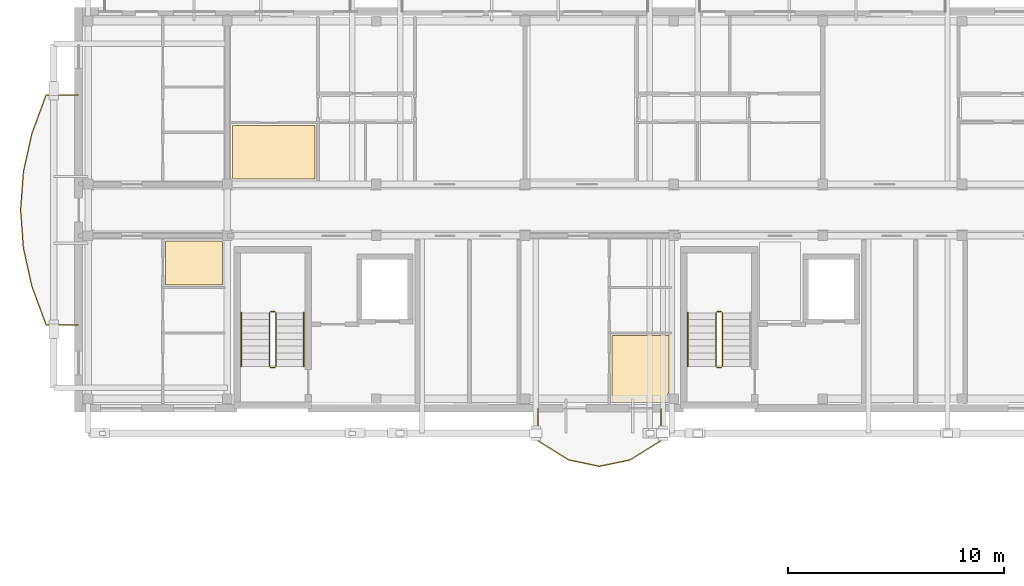
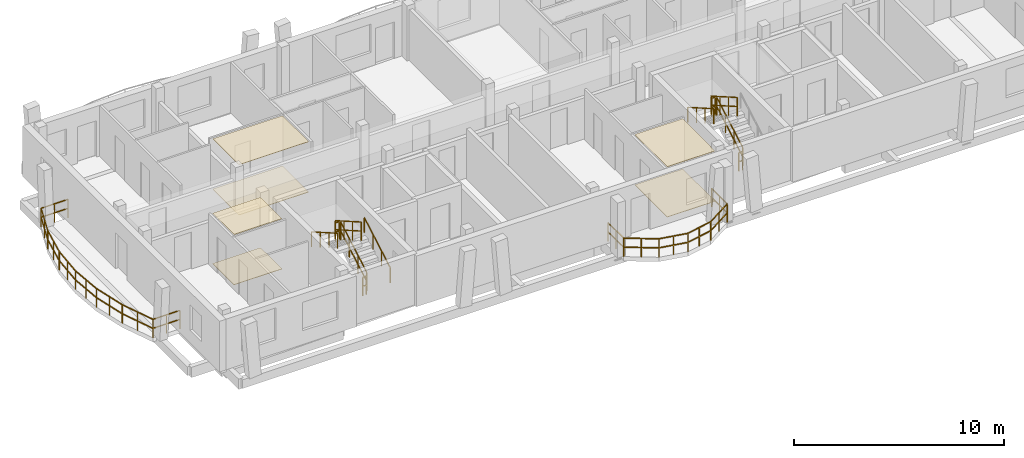
# One storey, part 41 of 48: 13 railings, 6 coverings.
"""IFC4 building model written with IfcOpenShell, lengths in metres."""

from ifc_helpers import new_model, si_unit, direction, frame, origin, origin_2d, place, context, subcontext, project, spatial, polyline, rectangle, outline, extrude, material, layer, layer_set, type_object, element, save


model = new_model("IFC4")

# Units and contexts
model_context = context("Model", 3, precision=1e-05, world=origin(), true_north=direction((0.0, 1.0)))
body_context = subcontext(model_context, "Body", "Model", "MODEL_VIEW")
ifc_project = project(units=[si_unit("LENGTHUNIT", "METRE"), si_unit("AREAUNIT", "SQUARE_METRE"), si_unit("VOLUMEUNIT", "CUBIC_METRE"), si_unit("PLANEANGLEUNIT", "RADIAN"), si_unit("MASSUNIT", "GRAM", prefix="KILO")], contexts=[model_context])

# Site, building, storey
site_placement = place(None, origin())
site = spatial("IfcSite", under=ifc_project, at=site_placement, CompositionType="ELEMENT")
building_placement = place(site_placement, origin())
building = spatial("IfcBuilding", under=site, at=building_placement, Name="Zavelmont Quarter", CompositionType="ELEMENT")
storey_placement = place(building_placement, frame((0.0, 0.0, 17.60009765625)))
storey = spatial("IfcBuildingStorey", under=building, at=storey_placement, Name="L05", CompositionType="ELEMENT", Elevation=17.60009765625)

# Coverings
ifc_material_1 = material(Name="Perforated acoustic gypsum board")
ifc_layer_1 = layer(ifc_material_1, 0.02490234375)
ifc_layer_set_1 = layer_set([ifc_layer_1], Name="Perforated acoustic gypsum board")
covering_type_1 = type_object("IfcCoveringType", Name="CV-CL01", PredefinedType="CEILING", material=ifc_layer_set_1)
covering_1_placement = place(storey_placement, frame((0.0, 0.0, 2.9248046875)))
element("IfcCovering", 1, at=covering_1_placement, inside=storey, type_object=covering_type_1, Name="L05 Kitchen acoustic ceiling", PredefinedType="CEILING", context=body_context, shape_type="SweptSolid", body=[
    extrude(outline(polyline([(4.030029296875, 105.3701171875), (6.635009765625, 105.3701171875), (6.635009765625, 105.3349609375), (6.669921875, 105.3349609375), (6.669921875, 103.330078125), (4.030029296875, 103.330078125), (4.030029296875, 105.3701171875)])), origin(), (0.0, 0.0, 1.0), 0.025146484375),
])
covering_2_placement = place(storey_placement, frame((0.0, 0.0, 2.9248046875)))
element("IfcCovering", 2, at=covering_2_placement, inside=storey, type_object=covering_type_1, Name="L05 Single Bedroom acoustic ceiling", PredefinedType="CEILING", context=body_context, shape_type="SweptSolid", body=[
    extrude(outline(polyline([(24.72998046875, 100.969970703125), (27.3701171875, 100.969970703125), (27.3701171875, 98.304931640625), (27.3349609375, 98.304931640625), (27.3349609375, 97.8798828125), (24.72998046875, 97.8798828125), (24.72998046875, 100.969970703125)])), origin(), (0.0, 0.0, 1.0), 0.025146484375),
])
ifc_material_2 = material(Name="Moisture-resistant painted gypsum ceiling")
ifc_layer_2 = layer(ifc_material_2, 0.02001953125)
ifc_layer_set_2 = layer_set([ifc_layer_2], Name="Moisture-resistant painted gypsum ceiling")
covering_type_2 = type_object("IfcCoveringType", Name="CV-CL04", PredefinedType="CEILING", material=ifc_layer_set_2)
covering_3_placement = place(storey_placement, frame((0.0, 0.0, 2.929931640625)))
element("IfcCovering", 3, at=covering_3_placement, inside=storey, type_object=covering_type_2, Name="L05 Bathroom acoustic ceiling", PredefinedType="CEILING", context=body_context, shape_type="SweptSolid", body=[
    extrude(outline(polyline([(7.1298828125, 110.719970703125), (10.969970703125, 110.719970703125), (10.969970703125, 108.22998046875), (7.1650390625, 108.22998046875), (7.1650390625, 108.264892578125), (7.1298828125, 108.264892578125), (7.1298828125, 110.719970703125)])), origin(), (0.0, 0.0, 1.0), 0.02001953125),
])
ifc_material_3 = material(Name="Engineered European oak parquet")
ifc_layer_3 = layer(ifc_material_3, 0.02197265625)
ifc_layer_set_3 = layer_set([ifc_layer_3], Name="Engineered European oak parquet")
covering_type_3 = type_object("IfcCoveringType", Name="CV-FL01", PredefinedType="FLOORING", material=ifc_layer_set_3)
covering_4_placement = place(storey_placement, origin())
element("IfcCovering", 4, at=covering_4_placement, inside=storey, type_object=covering_type_3, Name="L05 Kitchen floor finish", PredefinedType="FLOORING", context=body_context, shape_type="SweptSolid", body=[
    extrude(outline(polyline([(4.030029296875, 105.3701171875), (6.635009765625, 105.3701171875), (6.635009765625, 105.3349609375), (6.669921875, 105.3349609375), (6.669921875, 103.330078125), (4.030029296875, 103.330078125), (4.030029296875, 105.3701171875)])), origin(), (0.0, 0.0, 1.0), 0.02197265625),
])
covering_5_placement = place(storey_placement, origin())
element("IfcCovering", 5, at=covering_5_placement, inside=storey, type_object=covering_type_3, Name="L05 Single Bedroom floor finish", PredefinedType="FLOORING", context=body_context, shape_type="SweptSolid", body=[
    extrude(outline(polyline([(24.72998046875, 100.969970703125), (27.3701171875, 100.969970703125), (27.3701171875, 98.304931640625), (27.3349609375, 98.304931640625), (27.3349609375, 97.8798828125), (24.72998046875, 97.8798828125), (24.72998046875, 100.969970703125)])), origin(), (0.0, 0.0, 1.0), 0.02197265625),
])
ifc_material_4 = material(Name="Slip-resistant porcelain tile")
ifc_layer_4 = layer(ifc_material_4, 0.02587890625)
ifc_layer_set_4 = layer_set([ifc_layer_4], Name="Slip-resistant porcelain tile")
covering_type_4 = type_object("IfcCoveringType", Name="CV-FL04", PredefinedType="FLOORING", material=ifc_layer_set_4)
covering_6_placement = place(storey_placement, origin())
element("IfcCovering", 6, at=covering_6_placement, inside=storey, type_object=covering_type_4, Name="L05 Bathroom floor finish", PredefinedType="FLOORING", context=body_context, shape_type="SweptSolid", body=[
    extrude(outline(polyline([(7.1298828125, 110.719970703125), (10.969970703125, 110.719970703125), (10.969970703125, 108.22998046875), (7.1650390625, 108.22998046875), (7.1650390625, 108.264892578125), (7.1298828125, 108.264892578125), (7.1298828125, 110.719970703125)])), origin(), (0.0, 0.0, 1.0), 0.02587890625),
])

# Railings
ifc_material_5 = material(Name="Powder-coated steel and tempered double safety glass", Category="steel")
railing_type_1 = type_object("IfcRailingType", Name="RL-BAL1", PredefinedType="BALUSTRADE", material=ifc_material_5)
railing_1_placement = place(storey_placement, frame((-0.02001953125, 112.12841796875, 0.0)))
element("IfcRailing", 7, at=railing_1_placement, inside=storey, type_object=railing_type_1, Name="L05 Block B curved balcony guard RL-BAL1", PredefinedType="BALUSTRADE", context=body_context, shape_type="SweptSolid", body=[
    extrude(rectangle(XDim=0.048095703125, YDim=0.048095703125, at=origin_2d()), frame((0.0, 0.0, 1.076171875), z_axis=(-1.0, 0.0, 0.0), x_axis=(0.0, -1.0, 0.0)), (0.0, 0.0, 1.0), 1.487060546875),
    extrude(rectangle(XDim=0.048095703125, YDim=0.048095703125, at=origin_2d()), frame((0.0, 0.0, 0.550048828125), z_axis=(-1.0, 0.0, 0.0), x_axis=(0.0, -1.0, 0.0)), (0.0, 0.0, 1.0), 1.487060546875),
    extrude(rectangle(XDim=0.048095703125, YDim=0.048095703125, at=origin_2d()), frame((-1.487060546875, 0.0, 1.076171875), z_axis=(-0.347263975965, -0.937767418392, 0.0), x_axis=(0.937767418392, -0.347263975965, 0.0)), (0.0, 0.0, 1.0), 1.89404296875),
    extrude(rectangle(XDim=0.048095703125, YDim=0.048095703125, at=origin_2d()), frame((-1.487060546875, 0.0, 0.550048828125), z_axis=(-0.347263975965, -0.937767418392, 0.0), x_axis=(0.937767418392, -0.347263975965, 0.0)), (0.0, 0.0, 1.0), 1.89404296875),
    extrude(rectangle(XDim=0.048095703125, YDim=0.048095703125, at=origin_2d()), frame((-2.144775390625, -1.776123046875, 1.076171875), z_axis=(-0.216845209166, -0.976206000423, 0.0), x_axis=(0.976206000423, -0.216845209166, 0.0)), (0.0, 0.0, 1.0), 1.8193359375),
    extrude(rectangle(XDim=0.048095703125, YDim=0.048095703125, at=origin_2d()), frame((-2.144775390625, -1.776123046875, 0.550048828125), z_axis=(-0.216845209166, -0.976206000423, 0.0), x_axis=(0.976206000423, -0.216845209166, 0.0)), (0.0, 0.0, 1.0), 1.8193359375),
    extrude(rectangle(XDim=0.048095703125, YDim=0.048095703125, at=origin_2d()), frame((-2.539306640625, -3.55224609375, 1.076171875), z_axis=(-0.073886833648, -0.997266632257, 0.0), x_axis=(0.997266632257, -0.073886833648, 0.0)), (0.0, 0.0, 1.0), 1.781005859375),
    extrude(rectangle(XDim=0.048095703125, YDim=0.048095703125, at=origin_2d()), frame((-2.539306640625, -3.55224609375, 0.550048828125), z_axis=(-0.073886833648, -0.997266632257, 0.0), x_axis=(0.997266632257, -0.073886833648, 0.0)), (0.0, 0.0, 1.0), 1.781005859375),
    extrude(rectangle(XDim=0.048095703125, YDim=0.048095703125, at=origin_2d()), frame((-2.6708984375, -5.328369140625, 1.076171875), z_axis=(0.073886833648, -0.997266632257, 0.0), x_axis=(0.997266632257, 0.073886833648, 0.0)), (0.0, 0.0, 1.0), 1.781005859375),
    extrude(rectangle(XDim=0.048095703125, YDim=0.048095703125, at=origin_2d()), frame((-2.6708984375, -5.328369140625, 0.550048828125), z_axis=(0.073886833648, -0.997266632257, 0.0), x_axis=(0.997266632257, 0.073886833648, 0.0)), (0.0, 0.0, 1.0), 1.781005859375),
    extrude(rectangle(XDim=0.048095703125, YDim=0.048095703125, at=origin_2d()), frame((-2.539306640625, -7.1044921875, 1.076171875), z_axis=(0.216845209166, -0.976206000423, 0.0), x_axis=(0.976206000423, 0.216845209166, 0.0)), (0.0, 0.0, 1.0), 1.8193359375),
    extrude(rectangle(XDim=0.048095703125, YDim=0.048095703125, at=origin_2d()), frame((-2.539306640625, -7.1044921875, 0.550048828125), z_axis=(0.216845209166, -0.976206000423, 0.0), x_axis=(0.976206000423, 0.216845209166, 0.0)), (0.0, 0.0, 1.0), 1.8193359375),
    extrude(rectangle(XDim=0.048095703125, YDim=0.048095703125, at=origin_2d()), frame((-2.144775390625, -8.880615234375, 1.076171875), z_axis=(0.347263975965, -0.937767418392, 0.0), x_axis=(0.937767418392, 0.347263975965, 0.0)), (0.0, 0.0, 1.0), 1.89404296875),
    extrude(rectangle(XDim=0.048095703125, YDim=0.048095703125, at=origin_2d()), frame((-2.144775390625, -8.880615234375, 0.550048828125), z_axis=(0.347263975965, -0.937767418392, 0.0), x_axis=(0.937767418392, 0.347263975965, 0.0)), (0.0, 0.0, 1.0), 1.89404296875),
    extrude(rectangle(XDim=0.048095703125, YDim=0.048095703125, at=origin_2d()), frame((-1.487060546875, -10.65673828125, 1.076171875), z_axis=(1.0, 0.0, 0.0), x_axis=(0.0, 1.0, 0.0)), (0.0, 0.0, 1.0), 1.487060546875),
    extrude(rectangle(XDim=0.048095703125, YDim=0.048095703125, at=origin_2d()), frame((-1.487060546875, -10.65673828125, 0.550048828125), z_axis=(1.0, 0.0, 0.0), x_axis=(0.0, 1.0, 0.0)), (0.0, 0.0, 1.0), 1.487060546875),
    extrude(rectangle(XDim=0.0419921875, YDim=0.0419921875, at=origin_2d()), origin(), (0.0, 0.0, 1.0), 1.052001953125),
    extrude(rectangle(XDim=0.0419921875, YDim=0.0419921875, at=origin_2d()), frame((-0.74365234375, 0.0, 0.0)), (0.0, 0.0, 1.0), 1.052001953125),
    extrude(rectangle(XDim=0.0419921875, YDim=0.0419921875, at=origin_2d()), frame((-1.487060546875, 0.0, 0.0)), (0.0, 0.0, 1.0), 1.052001953125),
    extrude(rectangle(XDim=0.0419921875, YDim=0.0419921875, at=origin_2d()), frame((-1.81591796875, -0.88818359375, 0.0)), (0.0, 0.0, 1.0), 1.052001953125),
    extrude(rectangle(XDim=0.0419921875, YDim=0.0419921875, at=origin_2d()), frame((-2.144775390625, -1.776123046875, 0.0)), (0.0, 0.0, 1.0), 1.052001953125),
    extrude(rectangle(XDim=0.0419921875, YDim=0.0419921875, at=origin_2d()), frame((-2.342041015625, -2.6640625, 0.0)), (0.0, 0.0, 1.0), 1.052001953125),
    extrude(rectangle(XDim=0.0419921875, YDim=0.0419921875, at=origin_2d()), frame((-2.539306640625, -3.55224609375, 0.0)), (0.0, 0.0, 1.0), 1.052001953125),
    extrude(rectangle(XDim=0.0419921875, YDim=0.0419921875, at=origin_2d()), frame((-2.60498046875, -4.4404296875, 0.0)), (0.0, 0.0, 1.0), 1.052001953125),
    extrude(rectangle(XDim=0.0419921875, YDim=0.0419921875, at=origin_2d()), frame((-2.6708984375, -5.328369140625, 0.0)), (0.0, 0.0, 1.0), 1.052001953125),
    extrude(rectangle(XDim=0.0419921875, YDim=0.0419921875, at=origin_2d()), frame((-2.60498046875, -6.21630859375, 0.0)), (0.0, 0.0, 1.0), 1.052001953125),
    extrude(rectangle(XDim=0.0419921875, YDim=0.0419921875, at=origin_2d()), frame((-2.539306640625, -7.1044921875, 0.0)), (0.0, 0.0, 1.0), 1.052001953125),
    extrude(rectangle(XDim=0.0419921875, YDim=0.0419921875, at=origin_2d()), frame((-2.342041015625, -7.99267578125, 0.0)), (0.0, 0.0, 1.0), 1.052001953125),
    extrude(rectangle(XDim=0.0419921875, YDim=0.0419921875, at=origin_2d()), frame((-2.144775390625, -8.880615234375, 0.0)), (0.0, 0.0, 1.0), 1.052001953125),
    extrude(rectangle(XDim=0.0419921875, YDim=0.0419921875, at=origin_2d()), frame((-1.81591796875, -9.7685546875, 0.0)), (0.0, 0.0, 1.0), 1.052001953125),
    extrude(rectangle(XDim=0.0419921875, YDim=0.0419921875, at=origin_2d()), frame((-1.487060546875, -10.65673828125, 0.0)), (0.0, 0.0, 1.0), 1.052001953125),
    extrude(rectangle(XDim=0.0419921875, YDim=0.0419921875, at=origin_2d()), frame((-0.74365234375, -10.65673828125, 0.0)), (0.0, 0.0, 1.0), 1.052001953125),
    extrude(rectangle(XDim=0.0419921875, YDim=0.0419921875, at=origin_2d()), frame((0.0, -10.65673828125, 0.0)), (0.0, 0.0, 1.0), 1.052001953125),
])
railing_2_placement = place(storey_placement, frame((21.300048828125, 97.580078125, 0.0)))
element("IfcRailing", 8, at=railing_2_placement, inside=storey, type_object=railing_type_1, Name="L05 Block B curved balcony guard RL-BAL1", PredefinedType="BALUSTRADE", context=body_context, shape_type="SweptSolid", body=[
    extrude(rectangle(XDim=0.048095703125, YDim=0.048095703125, at=origin_2d()), frame((0.0, 0.0, 1.076171875), z_axis=(0.0, -1.0, 0.0), x_axis=(1.0, 0.0, 0.0)), (0.0, 0.0, 1.0), 1.487060546875),
    extrude(rectangle(XDim=0.048095703125, YDim=0.048095703125, at=origin_2d()), frame((0.0, 0.0, 0.550048828125), z_axis=(0.0, -1.0, 0.0), x_axis=(1.0, 0.0, 0.0)), (0.0, 0.0, 1.0), 1.487060546875),
    extrude(rectangle(XDim=0.048095703125, YDim=0.048095703125, at=origin_2d()), frame((0.0, -1.487060546875, 1.076171875), z_axis=(0.848724527359, -0.52883520747, 0.0), x_axis=(0.52883520747, 0.848724527359, 0.0)), (0.0, 0.0, 1.0), 1.678955078125),
    extrude(rectangle(XDim=0.048095703125, YDim=0.048095703125, at=origin_2d()), frame((0.0, -1.487060546875, 0.550048828125), z_axis=(0.848724527359, -0.52883520747, 0.0), x_axis=(0.52883520747, 0.848724527359, 0.0)), (0.0, 0.0, 1.0), 1.678955078125),
    extrude(rectangle(XDim=0.048095703125, YDim=0.048095703125, at=origin_2d()), frame((1.425048828125, -2.375, 1.076171875), z_axis=(0.979075222266, -0.203498671112, 0.0), x_axis=(0.203498671112, 0.979075222266, 0.0)), (0.0, 0.0, 1.0), 1.455322265625),
    extrude(rectangle(XDim=0.048095703125, YDim=0.048095703125, at=origin_2d()), frame((1.425048828125, -2.375, 0.550048828125), z_axis=(0.979075222266, -0.203498671112, 0.0), x_axis=(0.203498671112, 0.979075222266, 0.0)), (0.0, 0.0, 1.0), 1.455322265625),
    extrude(rectangle(XDim=0.048095703125, YDim=0.048095703125, at=origin_2d()), frame((2.849853515625, -2.671142578125, 1.076171875), z_axis=(0.979082167981, 0.203465250944, 0.0), x_axis=(-0.203465250944, 0.979082167981, 0.0)), (0.0, 0.0, 1.0), 1.45556640625),
    extrude(rectangle(XDim=0.048095703125, YDim=0.048095703125, at=origin_2d()), frame((2.849853515625, -2.671142578125, 0.550048828125), z_axis=(0.979082167981, 0.203465250944, 0.0), x_axis=(-0.203465250944, 0.979082167981, 0.0)), (0.0, 0.0, 1.0), 1.45556640625),
    extrude(rectangle(XDim=0.048095703125, YDim=0.048095703125, at=origin_2d()), frame((4.27490234375, -2.375, 1.076171875), z_axis=(0.848724527359, 0.52883520747, 0.0), x_axis=(-0.52883520747, 0.848724527359, 0.0)), (0.0, 0.0, 1.0), 1.678955078125),
    extrude(rectangle(XDim=0.048095703125, YDim=0.048095703125, at=origin_2d()), frame((4.27490234375, -2.375, 0.550048828125), z_axis=(0.848724527359, 0.52883520747, 0.0), x_axis=(-0.52883520747, 0.848724527359, 0.0)), (0.0, 0.0, 1.0), 1.678955078125),
    extrude(rectangle(XDim=0.048095703125, YDim=0.048095703125, at=origin_2d()), frame((5.699951171875, -1.487060546875, 1.076171875), z_axis=(0.0, 1.0, 0.0), x_axis=(-1.0, 0.0, 0.0)), (0.0, 0.0, 1.0), 1.487060546875),
    extrude(rectangle(XDim=0.048095703125, YDim=0.048095703125, at=origin_2d()), frame((5.699951171875, -1.487060546875, 0.550048828125), z_axis=(0.0, 1.0, 0.0), x_axis=(-1.0, 0.0, 0.0)), (0.0, 0.0, 1.0), 1.487060546875),
    extrude(rectangle(XDim=0.0419921875, YDim=0.0419921875, at=origin_2d()), origin(), (0.0, 0.0, 1.0), 1.052001953125),
    extrude(rectangle(XDim=0.0419921875, YDim=0.0419921875, at=origin_2d()), frame((0.0, -0.74365234375, 0.0)), (0.0, 0.0, 1.0), 1.052001953125),
    extrude(rectangle(XDim=0.0419921875, YDim=0.0419921875, at=origin_2d()), frame((0.0, -1.487060546875, 0.0)), (0.0, 0.0, 1.0), 1.052001953125),
    extrude(rectangle(XDim=0.0419921875, YDim=0.0419921875, at=origin_2d()), frame((0.71240234375, -1.93115234375, 0.0)), (0.0, 0.0, 1.0), 1.052001953125),
    extrude(rectangle(XDim=0.0419921875, YDim=0.0419921875, at=origin_2d()), frame((1.425048828125, -2.375, 0.0)), (0.0, 0.0, 1.0), 1.052001953125),
    extrude(rectangle(XDim=0.0419921875, YDim=0.0419921875, at=origin_2d()), frame((2.137451171875, -2.52294921875, 0.0)), (0.0, 0.0, 1.0), 1.052001953125),
    extrude(rectangle(XDim=0.0419921875, YDim=0.0419921875, at=origin_2d()), frame((2.849853515625, -2.671142578125, 0.0)), (0.0, 0.0, 1.0), 1.052001953125),
    extrude(rectangle(XDim=0.0419921875, YDim=0.0419921875, at=origin_2d()), frame((3.5625, -2.52294921875, 0.0)), (0.0, 0.0, 1.0), 1.052001953125),
    extrude(rectangle(XDim=0.0419921875, YDim=0.0419921875, at=origin_2d()), frame((4.27490234375, -2.375, 0.0)), (0.0, 0.0, 1.0), 1.052001953125),
    extrude(rectangle(XDim=0.0419921875, YDim=0.0419921875, at=origin_2d()), frame((4.9873046875, -1.93115234375, 0.0)), (0.0, 0.0, 1.0), 1.052001953125),
    extrude(rectangle(XDim=0.0419921875, YDim=0.0419921875, at=origin_2d()), frame((5.699951171875, -1.487060546875, 0.0)), (0.0, 0.0, 1.0), 1.052001953125),
    extrude(rectangle(XDim=0.0419921875, YDim=0.0419921875, at=origin_2d()), frame((5.699951171875, -0.74365234375, 0.0)), (0.0, 0.0, 1.0), 1.052001953125),
    extrude(rectangle(XDim=0.0419921875, YDim=0.0419921875, at=origin_2d()), frame((5.699951171875, 0.0, 0.0)), (0.0, 0.0, 1.0), 1.052001953125),
])
ifc_material_6 = material(Name="Powder-coated steel stair guardrail", Category="steel")
railing_type_2 = type_object("IfcRailingType", Name="RL-GRD1", PredefinedType="GUARDRAIL", material=ifc_material_6)
railing_3_placement = place(storey_placement, frame((9.14990234375, 99.550048828125, 0.177734375)))
element("IfcRailing", 9, at=railing_3_placement, inside=storey, type_object=railing_type_2, Name="L05 ST03 stair guardrail 1", PredefinedType="GUARDRAIL", context=body_context, shape_type="SweptSolid", body=[
    extrude(rectangle(XDim=0.048095703125, YDim=0.048095703125, at=origin_2d()), frame((0.0, 0.0, 1.076171875), z_axis=(0.0, 0.867490628297, 0.497453525283), x_axis=(-1.0, 0.0, 0.0)), (0.0, 0.0, 1.0), 2.85888671875),
    extrude(rectangle(XDim=0.048095703125, YDim=0.048095703125, at=origin_2d()), frame((0.0, 0.0, 0.550048828125), z_axis=(0.0, 0.867490628297, 0.497453525283), x_axis=(-1.0, 0.0, 0.0)), (0.0, 0.0, 1.0), 2.85888671875),
    extrude(rectangle(XDim=0.0419921875, YDim=0.0419921875, at=origin_2d()), origin(), (0.0, 0.0, 1.0), 1.052001953125),
    extrude(rectangle(XDim=0.0419921875, YDim=0.0419921875, at=origin_2d()), frame((0.0, 0.82666015625, 0.47412109375)), (0.0, 0.0, 1.0), 1.052001953125),
    extrude(rectangle(XDim=0.0419921875, YDim=0.0419921875, at=origin_2d()), frame((0.0, 1.6533203125, 0.947998046875)), (0.0, 0.0, 1.0), 1.052001953125),
    extrude(rectangle(XDim=0.0419921875, YDim=0.0419921875, at=origin_2d()), frame((0.0, 2.47998046875, 1.422119140625)), (0.0, 0.0, 1.0), 1.052001953125),
])
railing_4_placement = place(storey_placement, frame((9.10009765625, 102.080078125, 1.599853515625)))
element("IfcRailing", 10, at=railing_4_placement, inside=storey, type_object=railing_type_2, Name="L05 ST03 stair guardrail 2", PredefinedType="GUARDRAIL", context=body_context, shape_type="SweptSolid", body=[
    extrude(rectangle(XDim=0.048095703125, YDim=0.048095703125, at=origin_2d()), frame((0.0, 0.0, 1.076171875), z_axis=(-1.0, 0.0, 0.0), x_axis=(0.0, -1.0, 0.0)), (0.0, 0.0, 1.0), 0.2001953125),
    extrude(rectangle(XDim=0.048095703125, YDim=0.048095703125, at=origin_2d()), frame((0.0, 0.0, 0.550048828125), z_axis=(-1.0, 0.0, 0.0), x_axis=(0.0, -1.0, 0.0)), (0.0, 0.0, 1.0), 0.2001953125),
    extrude(rectangle(XDim=0.0419921875, YDim=0.0419921875, at=origin_2d()), origin(), (0.0, 0.0, 1.0), 1.052001953125),
    extrude(rectangle(XDim=0.0419921875, YDim=0.0419921875, at=origin_2d()), frame((-0.2001953125, 0.0, 0.0)), (0.0, 0.0, 1.0), 1.052001953125),
])
railing_5_placement = place(storey_placement, frame((8.85009765625, 102.030029296875, 1.777587890625)))
element("IfcRailing", 11, at=railing_5_placement, inside=storey, type_object=railing_type_2, Name="L05 ST03 stair guardrail 3", PredefinedType="GUARDRAIL", context=body_context, shape_type="SweptSolid", body=[
    extrude(rectangle(XDim=0.048095703125, YDim=0.048095703125, at=origin_2d()), frame((0.0, 0.0, 1.076171875), z_axis=(0.0, -0.867453774394, 0.497517787913), x_axis=(1.0, 0.0, 0.0)), (0.0, 0.0, 1.0), 2.85888671875),
    extrude(rectangle(XDim=0.048095703125, YDim=0.048095703125, at=origin_2d()), frame((0.0, 0.0, 0.550048828125), z_axis=(0.0, -0.867453774394, 0.497517787913), x_axis=(1.0, 0.0, 0.0)), (0.0, 0.0, 1.0), 2.85888671875),
    extrude(rectangle(XDim=0.0419921875, YDim=0.0419921875, at=origin_2d()), origin(), (0.0, 0.0, 1.0), 1.052001953125),
    extrude(rectangle(XDim=0.0419921875, YDim=0.0419921875, at=origin_2d()), frame((0.0, -0.82666015625, 0.47412109375)), (0.0, 0.0, 1.0), 1.052001953125),
    extrude(rectangle(XDim=0.0419921875, YDim=0.0419921875, at=origin_2d()), frame((0.0, -1.6533203125, 0.9482421875)), (0.0, 0.0, 1.0), 1.052001953125),
    extrude(rectangle(XDim=0.0419921875, YDim=0.0419921875, at=origin_2d()), frame((0.0, -2.47998046875, 1.42236328125)), (0.0, 0.0, 1.0), 1.052001953125),
])
railing_6_placement = place(storey_placement, frame((9.10009765625, 99.5, 0.0)))
element("IfcRailing", 12, at=railing_6_placement, inside=storey, type_object=railing_type_2, Name="L05 ST03 stair guardrail 4", PredefinedType="GUARDRAIL", context=body_context, shape_type="SweptSolid", body=[
    extrude(rectangle(XDim=0.048095703125, YDim=0.048095703125, at=origin_2d()), frame((0.0, 0.0, 1.076171875), z_axis=(-1.0, 0.0, 0.0), x_axis=(0.0, -1.0, 0.0)), (0.0, 0.0, 1.0), 0.2001953125),
    extrude(rectangle(XDim=0.048095703125, YDim=0.048095703125, at=origin_2d()), frame((0.0, 0.0, 0.550048828125), z_axis=(-1.0, 0.0, 0.0), x_axis=(0.0, -1.0, 0.0)), (0.0, 0.0, 1.0), 0.2001953125),
    extrude(rectangle(XDim=0.0419921875, YDim=0.0419921875, at=origin_2d()), origin(), (0.0, 0.0, 1.0), 1.052001953125),
    extrude(rectangle(XDim=0.0419921875, YDim=0.0419921875, at=origin_2d()), frame((-0.2001953125, 0.0, 0.0)), (0.0, 0.0, 1.0), 1.052001953125),
])
railing_7_placement = place(storey_placement, frame((29.85009765625, 99.550048828125, 0.177734375)))
element("IfcRailing", 13, at=railing_7_placement, inside=storey, type_object=railing_type_2, Name="L05 ST04 stair guardrail 1", PredefinedType="GUARDRAIL", context=body_context, shape_type="SweptSolid", body=[
    extrude(rectangle(XDim=0.048095703125, YDim=0.048095703125, at=origin_2d()), frame((0.0, 0.0, 1.076171875), z_axis=(0.0, 0.867490628297, 0.497453525283), x_axis=(-1.0, 0.0, 0.0)), (0.0, 0.0, 1.0), 2.85888671875),
    extrude(rectangle(XDim=0.048095703125, YDim=0.048095703125, at=origin_2d()), frame((0.0, 0.0, 0.550048828125), z_axis=(0.0, 0.867490628297, 0.497453525283), x_axis=(-1.0, 0.0, 0.0)), (0.0, 0.0, 1.0), 2.85888671875),
    extrude(rectangle(XDim=0.0419921875, YDim=0.0419921875, at=origin_2d()), origin(), (0.0, 0.0, 1.0), 1.052001953125),
    extrude(rectangle(XDim=0.0419921875, YDim=0.0419921875, at=origin_2d()), frame((0.0, 0.82666015625, 0.47412109375)), (0.0, 0.0, 1.0), 1.052001953125),
    extrude(rectangle(XDim=0.0419921875, YDim=0.0419921875, at=origin_2d()), frame((0.0, 1.6533203125, 0.947998046875)), (0.0, 0.0, 1.0), 1.052001953125),
    extrude(rectangle(XDim=0.0419921875, YDim=0.0419921875, at=origin_2d()), frame((0.0, 2.47998046875, 1.422119140625)), (0.0, 0.0, 1.0), 1.052001953125),
])
railing_8_placement = place(storey_placement, frame((29.800048828125, 102.080078125, 1.599853515625)))
element("IfcRailing", 14, at=railing_8_placement, inside=storey, type_object=railing_type_2, Name="L05 ST04 stair guardrail 2", PredefinedType="GUARDRAIL", context=body_context, shape_type="SweptSolid", body=[
    extrude(rectangle(XDim=0.048095703125, YDim=0.048095703125, at=origin_2d()), frame((0.0, 0.0, 1.076171875), z_axis=(-1.0, 0.0, 0.0), x_axis=(0.0, -1.0, 0.0)), (0.0, 0.0, 1.0), 0.199951171875),
    extrude(rectangle(XDim=0.048095703125, YDim=0.048095703125, at=origin_2d()), frame((0.0, 0.0, 0.550048828125), z_axis=(-1.0, 0.0, 0.0), x_axis=(0.0, -1.0, 0.0)), (0.0, 0.0, 1.0), 0.199951171875),
    extrude(rectangle(XDim=0.0419921875, YDim=0.0419921875, at=origin_2d()), origin(), (0.0, 0.0, 1.0), 1.052001953125),
    extrude(rectangle(XDim=0.0419921875, YDim=0.0419921875, at=origin_2d()), frame((-0.199951171875, 0.0, 0.0)), (0.0, 0.0, 1.0), 1.052001953125),
])
railing_9_placement = place(storey_placement, frame((29.550048828125, 102.030029296875, 1.777587890625)))
element("IfcRailing", 15, at=railing_9_placement, inside=storey, type_object=railing_type_2, Name="L05 ST04 stair guardrail 3", PredefinedType="GUARDRAIL", context=body_context, shape_type="SweptSolid", body=[
    extrude(rectangle(XDim=0.048095703125, YDim=0.048095703125, at=origin_2d()), frame((0.0, 0.0, 1.076171875), z_axis=(0.0, -0.867453774394, 0.497517787913), x_axis=(1.0, 0.0, 0.0)), (0.0, 0.0, 1.0), 2.85888671875),
    extrude(rectangle(XDim=0.048095703125, YDim=0.048095703125, at=origin_2d()), frame((0.0, 0.0, 0.550048828125), z_axis=(0.0, -0.867453774394, 0.497517787913), x_axis=(1.0, 0.0, 0.0)), (0.0, 0.0, 1.0), 2.85888671875),
    extrude(rectangle(XDim=0.0419921875, YDim=0.0419921875, at=origin_2d()), origin(), (0.0, 0.0, 1.0), 1.052001953125),
    extrude(rectangle(XDim=0.0419921875, YDim=0.0419921875, at=origin_2d()), frame((0.0, -0.82666015625, 0.47412109375)), (0.0, 0.0, 1.0), 1.052001953125),
    extrude(rectangle(XDim=0.0419921875, YDim=0.0419921875, at=origin_2d()), frame((0.0, -1.6533203125, 0.9482421875)), (0.0, 0.0, 1.0), 1.052001953125),
    extrude(rectangle(XDim=0.0419921875, YDim=0.0419921875, at=origin_2d()), frame((0.0, -2.47998046875, 1.42236328125)), (0.0, 0.0, 1.0), 1.052001953125),
])
railing_10_placement = place(storey_placement, frame((29.800048828125, 99.5, 0.0)))
element("IfcRailing", 16, at=railing_10_placement, inside=storey, type_object=railing_type_2, Name="L05 ST04 stair guardrail 4", PredefinedType="GUARDRAIL", context=body_context, shape_type="SweptSolid", body=[
    extrude(rectangle(XDim=0.048095703125, YDim=0.048095703125, at=origin_2d()), frame((0.0, 0.0, 1.076171875), z_axis=(-1.0, 0.0, 0.0), x_axis=(0.0, -1.0, 0.0)), (0.0, 0.0, 1.0), 0.199951171875),
    extrude(rectangle(XDim=0.048095703125, YDim=0.048095703125, at=origin_2d()), frame((0.0, 0.0, 0.550048828125), z_axis=(-1.0, 0.0, 0.0), x_axis=(0.0, -1.0, 0.0)), (0.0, 0.0, 1.0), 0.199951171875),
    extrude(rectangle(XDim=0.0419921875, YDim=0.0419921875, at=origin_2d()), origin(), (0.0, 0.0, 1.0), 1.052001953125),
    extrude(rectangle(XDim=0.0419921875, YDim=0.0419921875, at=origin_2d()), frame((-0.199951171875, 0.0, 0.0)), (0.0, 0.0, 1.0), 1.052001953125),
])
ifc_material_7 = material(Name="Brushed stainless-steel wall handrail", Category="steel")
railing_type_3 = type_object("IfcRailingType", Name="RL-HND1", PredefinedType="HANDRAIL", material=ifc_material_7)
railing_11_placement = place(storey_placement, frame((10.449951171875, 99.550048828125, 0.177734375)))
element("IfcRailing", 17, at=railing_11_placement, inside=storey, type_object=railing_type_3, Name="L05 ST03 stair handrail 1", PredefinedType="HANDRAIL", context=body_context, shape_type="SweptSolid", body=[
    extrude(rectangle(XDim=0.048095703125, YDim=0.048095703125, at=origin_2d()), frame((0.0, 0.0, 0.8759765625), z_axis=(0.0, 0.867490628297, 0.497453525283), x_axis=(-1.0, 0.0, 0.0)), (0.0, 0.0, 1.0), 2.85888671875),
    extrude(rectangle(XDim=0.0419921875, YDim=0.0419921875, at=origin_2d()), origin(), (0.0, 0.0, 1.0), 0.851806640625),
    extrude(rectangle(XDim=0.0419921875, YDim=0.0419921875, at=origin_2d()), frame((0.0, 0.82666015625, 0.47412109375)), (0.0, 0.0, 1.0), 0.851806640625),
    extrude(rectangle(XDim=0.0419921875, YDim=0.0419921875, at=origin_2d()), frame((0.0, 1.6533203125, 0.947998046875)), (0.0, 0.0, 1.0), 0.851806640625),
    extrude(rectangle(XDim=0.0419921875, YDim=0.0419921875, at=origin_2d()), frame((0.0, 2.47998046875, 1.422119140625)), (0.0, 0.0, 1.0), 0.851806640625),
])
for number, where, name in (
    (18, (7.550048828125, 102.030029296875, 1.777587890625), "L05 ST03 stair handrail 2"),
    (19, (28.25, 102.030029296875, 1.777587890625), "L05 ST04 stair handrail 2"),
):
    element("IfcRailing", number, at=place(storey_placement, frame(where)), inside=storey, type_object=railing_type_3, Name=name, PredefinedType="HANDRAIL", context=body_context, shape_type="SweptSolid", body=[
        extrude(rectangle(XDim=0.048095703125, YDim=0.048095703125, at=origin_2d()), frame((0.0, 0.0, 0.8759765625), z_axis=(0.0, -0.867453774394, 0.497517787913), x_axis=(1.0, 0.0, 0.0)), (0.0, 0.0, 1.0), 2.85888671875),
        extrude(rectangle(XDim=0.0419921875, YDim=0.0419921875, at=origin_2d()), origin(), (0.0, 0.0, 1.0), 0.851806640625),
        extrude(rectangle(XDim=0.0419921875, YDim=0.0419921875, at=origin_2d()), frame((0.0, -0.82666015625, 0.47412109375)), (0.0, 0.0, 1.0), 0.851806640625),
        extrude(rectangle(XDim=0.0419921875, YDim=0.0419921875, at=origin_2d()), frame((0.0, -1.6533203125, 0.9482421875)), (0.0, 0.0, 1.0), 0.851806640625),
        extrude(rectangle(XDim=0.0419921875, YDim=0.0419921875, at=origin_2d()), frame((0.0, -2.47998046875, 1.42236328125)), (0.0, 0.0, 1.0), 0.851806640625),
    ])

save(model, "model.ifc")
